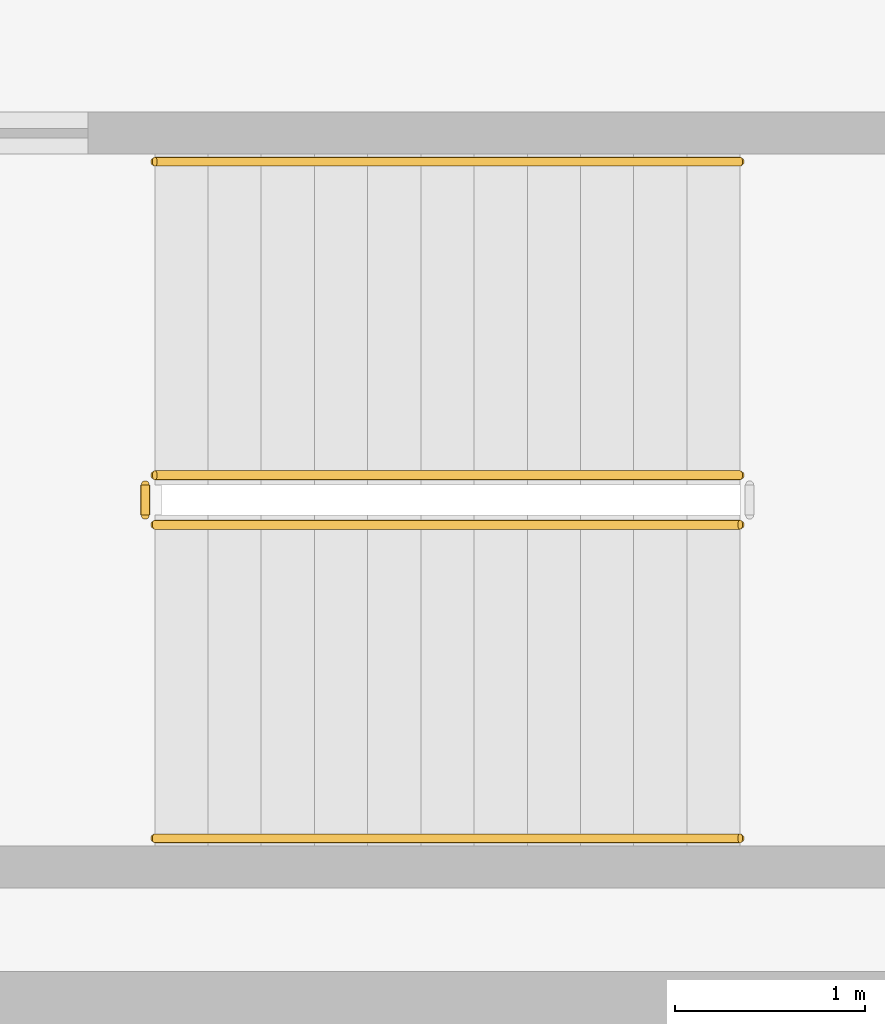
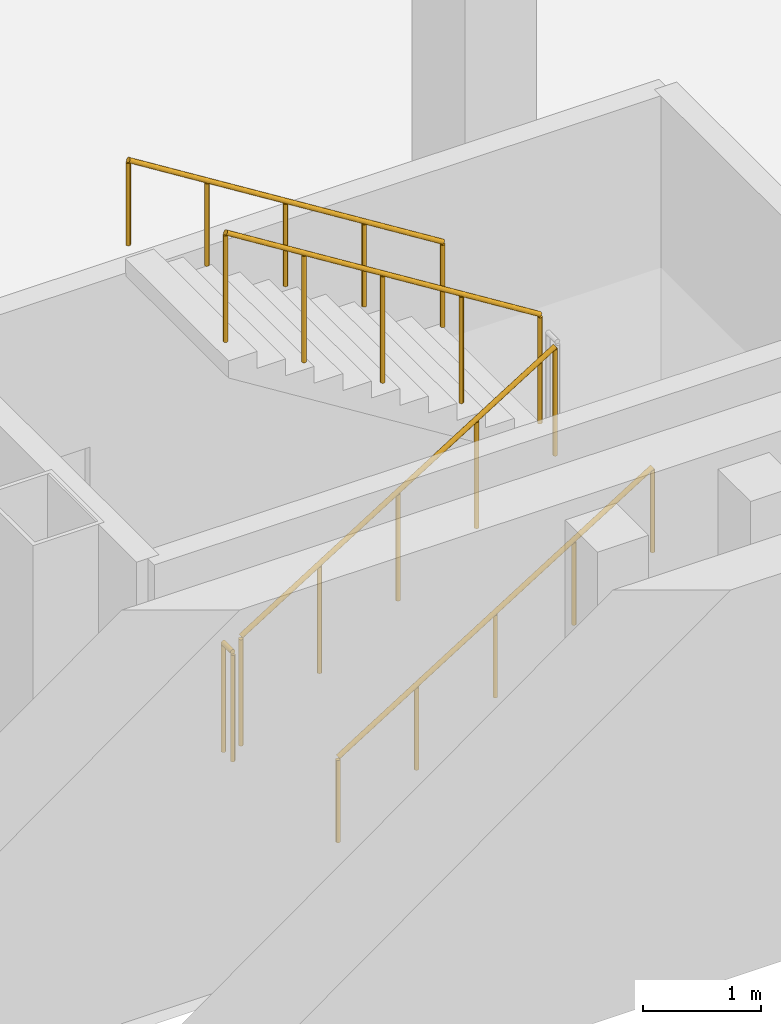
# One storey, part 12 of 16: 5 railings.
"""IFC4 building model written with IfcOpenShell, lengths in metres."""

from ifc_helpers import new_model, si_unit, direction, frame, origin, origin_2d, place, context, subcontext, project, spatial, circle, extrude, material, type_object, element, save


model = new_model("IFC4")

# Units and contexts
model_context = context("Model", 3, precision=1e-05, world=origin(), true_north=direction((0.0, 1.0)))
body_context = subcontext(model_context, "Body", "Model", "MODEL_VIEW")
ifc_project = project(units=[si_unit("LENGTHUNIT", "METRE"), si_unit("AREAUNIT", "SQUARE_METRE"), si_unit("VOLUMEUNIT", "CUBIC_METRE"), si_unit("PLANEANGLEUNIT", "RADIAN"), si_unit("MASSUNIT", "GRAM", prefix="KILO")], contexts=[model_context])

# Site, building, storey
site_placement = place(None, origin())
site = spatial("IfcSite", under=ifc_project, at=site_placement, CompositionType="ELEMENT")
building_placement = place(site_placement, origin())
building = spatial("IfcBuilding", under=site, at=building_placement, Name="Kolveth Station Tower", CompositionType="ELEMENT")
storey_placement = place(building_placement, frame((0.0, 0.0, -4.199951171875)))
storey = spatial("IfcBuildingStorey", under=building, at=storey_placement, Name="B1", CompositionType="ELEMENT", Elevation=-4.199951171875)

# Railings
ifc_material_1 = material(Name="Painted Steel S355 balustrade", Category="steel")
railing_type_1 = type_object("IfcRailingType", Name="Guard_GR2", PredefinedType="BALUSTRADE", material=ifc_material_1)
railing_1_placement = place(storey_placement, frame((57.75, -8.5, 0.175048828125)))
element("IfcRailing", 1, at=railing_1_placement, inside=storey, type_object=railing_type_1, Name="B1 ST4 stair guard 1", PredefinedType="BALUSTRADE", context=body_context, shape_type="SweptSolid", body=[
    extrude(circle(Radius=0.02392578125, at=origin_2d()), frame((0.0, 0.0, 1.1259765625), z_axis=(0.848028513186, 0.0, 0.529950602248), x_axis=(0.0, 1.0, 0.0)), (0.0, 0.0, 1.0), 3.632080078125),
    extrude(circle(Radius=0.02099609375, at=origin_2d()), origin(), (0.0, 0.0, 1.0), 1.101806640625),
    extrude(circle(Radius=0.02099609375, at=origin_2d()), frame((0.77001953125, 0.0, 0.481201171875)), (0.0, 0.0, 1.0), 1.101806640625),
    extrude(circle(Radius=0.02099609375, at=origin_2d()), frame((1.5400390625, 0.0, 0.96240234375)), (0.0, 0.0, 1.0), 1.101806640625),
    extrude(circle(Radius=0.02099609375, at=origin_2d()), frame((2.31005859375, 0.0, 1.443603515625)), (0.0, 0.0, 1.0), 1.101806640625),
    extrude(circle(Radius=0.02099609375, at=origin_2d()), frame((3.080078125, 0.0, 1.9248046875)), (0.0, 0.0, 1.0), 1.101806640625),
])
railing_2_placement = place(storey_placement, frame((60.830078125, -8.239990234375, 2.27490234375)))
element("IfcRailing", 2, at=railing_2_placement, inside=storey, type_object=railing_type_1, Name="B1 ST4 stair guard 3", PredefinedType="BALUSTRADE", context=body_context, shape_type="SweptSolid", body=[
    extrude(circle(Radius=0.02392578125, at=origin_2d()), frame((0.0, 0.0, 1.1259765625), z_axis=(-0.847998304005, 0.0, 0.529998940003), x_axis=(0.0, -1.0, 0.0)), (0.0, 0.0, 1.0), 3.632080078125),
    extrude(circle(Radius=0.02099609375, at=origin_2d()), origin(), (0.0, 0.0, 1.0), 1.101806640625),
    extrude(circle(Radius=0.02099609375, at=origin_2d()), frame((-0.77001953125, 0.0, 0.481201171875)), (0.0, 0.0, 1.0), 1.101806640625),
    extrude(circle(Radius=0.02099609375, at=origin_2d()), frame((-1.5400390625, 0.0, 0.96240234375)), (0.0, 0.0, 1.0), 1.101806640625),
    extrude(circle(Radius=0.02099609375, at=origin_2d()), frame((-2.31005859375, 0.0, 1.44384765625)), (0.0, 0.0, 1.0), 1.101806640625),
    extrude(circle(Radius=0.02099609375, at=origin_2d()), frame((-3.080078125, 0.0, 1.925048828125)), (0.0, 0.0, 1.0), 1.101806640625),
])
railing_3_placement = place(storey_placement, frame((57.699951171875, -8.449951171875, 0.0)))
element("IfcRailing", 3, at=railing_3_placement, inside=storey, type_object=railing_type_1, Name="B1 ST4 stair guard 4", PredefinedType="BALUSTRADE", context=body_context, shape_type="SweptSolid", body=[
    extrude(circle(Radius=0.02392578125, at=origin_2d()), frame((0.0, 0.0, 1.1259765625), z_axis=(0.0, 1.0, 0.0), x_axis=(-1.0, 0.0, 0.0)), (0.0, 0.0, 1.0), 0.159912109375),
    extrude(circle(Radius=0.02099609375, at=origin_2d()), origin(), (0.0, 0.0, 1.0), 1.101806640625),
    extrude(circle(Radius=0.02099609375, at=origin_2d()), frame((0.0, 0.159912109375, 0.0)), (0.0, 0.0, 1.0), 1.101806640625),
])
ifc_material_2 = material(Name="Brushed stainless steel", Category="steel")
railing_type_2 = type_object("IfcRailingType", Name="Handrail_HR1", PredefinedType="HANDRAIL", material=ifc_material_2)
railing_4_placement = place(storey_placement, frame((57.75, -10.14990234375, 0.175048828125)))
element("IfcRailing", 4, at=railing_4_placement, inside=storey, type_object=railing_type_2, Name="B1 ST4 stair handrail 1", PredefinedType="HANDRAIL", context=body_context, shape_type="SweptSolid", body=[
    extrude(circle(Radius=0.02392578125, at=origin_2d()), frame((0.0, 0.0, 0.8759765625), z_axis=(0.848028513186, 0.0, 0.529950602248), x_axis=(0.0, 1.0, 0.0)), (0.0, 0.0, 1.0), 3.632080078125),
    extrude(circle(Radius=0.02099609375, at=origin_2d()), origin(), (0.0, 0.0, 1.0), 0.851806640625),
    extrude(circle(Radius=0.02099609375, at=origin_2d()), frame((0.77001953125, 0.0, 0.481201171875)), (0.0, 0.0, 1.0), 0.851806640625),
    extrude(circle(Radius=0.02099609375, at=origin_2d()), frame((1.5400390625, 0.0, 0.96240234375)), (0.0, 0.0, 1.0), 0.851806640625),
    extrude(circle(Radius=0.02099609375, at=origin_2d()), frame((2.31005859375, 0.0, 1.443603515625)), (0.0, 0.0, 1.0), 0.851806640625),
    extrude(circle(Radius=0.02099609375, at=origin_2d()), frame((3.080078125, 0.0, 1.9248046875)), (0.0, 0.0, 1.0), 0.851806640625),
])
railing_5_placement = place(storey_placement, frame((60.830078125, -6.590087890625, 2.27490234375)))
element("IfcRailing", 5, at=railing_5_placement, inside=storey, type_object=railing_type_2, Name="B1 ST4 stair handrail 2", PredefinedType="HANDRAIL", context=body_context, shape_type="SweptSolid", body=[
    extrude(circle(Radius=0.02392578125, at=origin_2d()), frame((0.0, 0.0, 0.8759765625), z_axis=(-0.847998304005, 0.0, 0.529998940003), x_axis=(0.0, -1.0, 0.0)), (0.0, 0.0, 1.0), 3.632080078125),
    extrude(circle(Radius=0.02099609375, at=origin_2d()), origin(), (0.0, 0.0, 1.0), 0.851806640625),
    extrude(circle(Radius=0.02099609375, at=origin_2d()), frame((-0.77001953125, 0.0, 0.481201171875)), (0.0, 0.0, 1.0), 0.851806640625),
    extrude(circle(Radius=0.02099609375, at=origin_2d()), frame((-1.5400390625, 0.0, 0.96240234375)), (0.0, 0.0, 1.0), 0.851806640625),
    extrude(circle(Radius=0.02099609375, at=origin_2d()), frame((-2.31005859375, 0.0, 1.44384765625)), (0.0, 0.0, 1.0), 0.851806640625),
    extrude(circle(Radius=0.02099609375, at=origin_2d()), frame((-3.080078125, 0.0, 1.925048828125)), (0.0, 0.0, 1.0), 0.851806640625),
])

save(model, "model.ifc")
